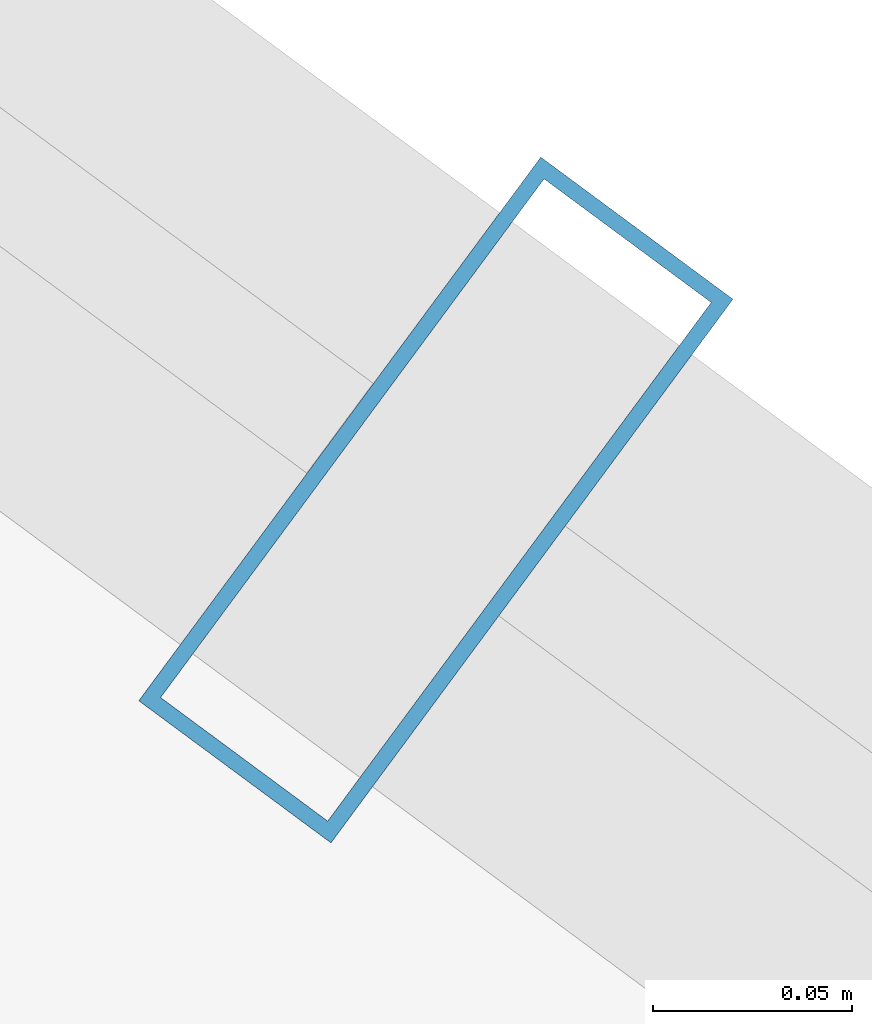
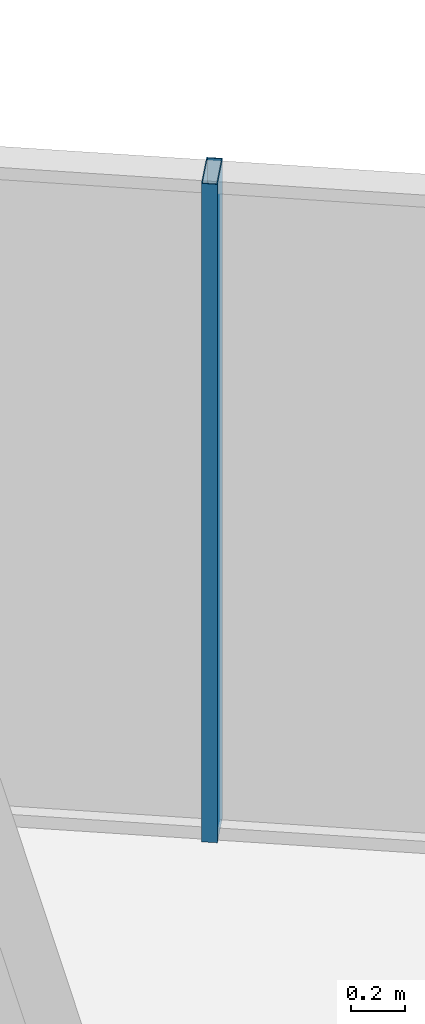
# One storey, part 20 of 29: 1 member, 1 element without a shape of its own.
"""IFC4 building model written with IfcOpenShell, lengths in metres."""

from ifc_helpers import new_model, si_unit, direction, frame, origin, origin_2d, place, context, subcontext, project, spatial, hollow_rectangle, extrude, source, transform, mapped, material, layer, layer_set, material_profile, profile_set, type_object, element, aggregate, save


model = new_model("IFC4")

# Units and contexts
model_context = context("Model", 3, precision=1e-05, world=origin(), true_north=direction((0.0, 1.0)))
body_context = subcontext(model_context, "Body", "Model", "MODEL_VIEW")
ifc_project = project(units=[si_unit("LENGTHUNIT", "METRE"), si_unit("AREAUNIT", "SQUARE_METRE"), si_unit("VOLUMEUNIT", "CUBIC_METRE"), si_unit("PLANEANGLEUNIT", "RADIAN"), si_unit("MASSUNIT", "GRAM", prefix="KILO")], contexts=[model_context])

# Site, building, storey
site_placement = place(None, origin())
site = spatial("IfcSite", under=ifc_project, at=site_placement, CompositionType="ELEMENT")
building_placement = place(site_placement, origin())
building = spatial("IfcBuilding", under=site, at=building_placement, Name="Veraguas Prism Commons", CompositionType="ELEMENT")
storey_placement = place(building_placement, frame((0.0, 0.0, 105.699951171875)))
storey = spatial("IfcBuildingStorey", under=building, at=storey_placement, Name="L29", CompositionType="ELEMENT", Elevation=105.699951171875)

# Curtain wall, member
ifc_material = material(Name="Anodised aluminium EN AW-6063 T6", Category="aluminium")
ifc_layer = layer(ifc_material, 0.169921875, Name="Unitised Flush Curtain Wall Zone 2", Category="aluminium")
ifc_layer_set = layer_set([ifc_layer], Name="Anodised aluminium EN AW-6063 T6")
curtain_wall_type = type_object("IfcCurtainWallType", Name="Unitised Flush Curtain Wall Zone 2", PredefinedType="NOTDEFINED", material=ifc_layer_set)
curtain_wall_placement = place(storey_placement, origin())
curtain_wall = element("IfcCurtainWall", 1, at=curtain_wall_placement, inside=storey, type_object=curtain_wall_type, Name="Tower Facade Curtain Wall L29-F1", PredefinedType="NOTDEFINED")
ifc_material_profile = material_profile(ifc_material, hollow_rectangle(XDim=0.06005859375, YDim=0.169921875, WallThickness=0.00390625, at=origin_2d()), Name="AL60X170X4")
ifc_profile_set = profile_set([ifc_material_profile], Name="Anodised aluminium EN AW-6063 T6")
member_type = type_object("IfcMemberType", Name="Curtain Wall Mullion Lower AL 60x170x4", PredefinedType="MULLION", material=ifc_profile_set)
shared_shape = source(origin(), body_context, "Body", "SweptSolid", [
    extrude(hollow_rectangle(XDim=0.06005859375, YDim=0.169921875, WallThickness=0.00390625, at=origin_2d()), origin(), (0.0, 0.0, 1.0), 2.969970703125),
])
member_placement = place(storey_placement, frame((35.40478515625, 39.423828125, 0.0), z_axis=(0.0, 0.0, 1.0), x_axis=(-0.804067556966, 0.59453794146, 0.0)))
member = element("IfcMember", 2, at=member_placement, type_object=member_type, Name="CW-Z2 Mullion 3", PredefinedType="MULLION", context=body_context, shape_type="MappedRepresentation", body=[
    mapped(shared_shape, transform((0.0, 0.0, 0.0), scale=1.0)),
])
aggregate(curtain_wall, [member])

save(model, "model.ifc")
